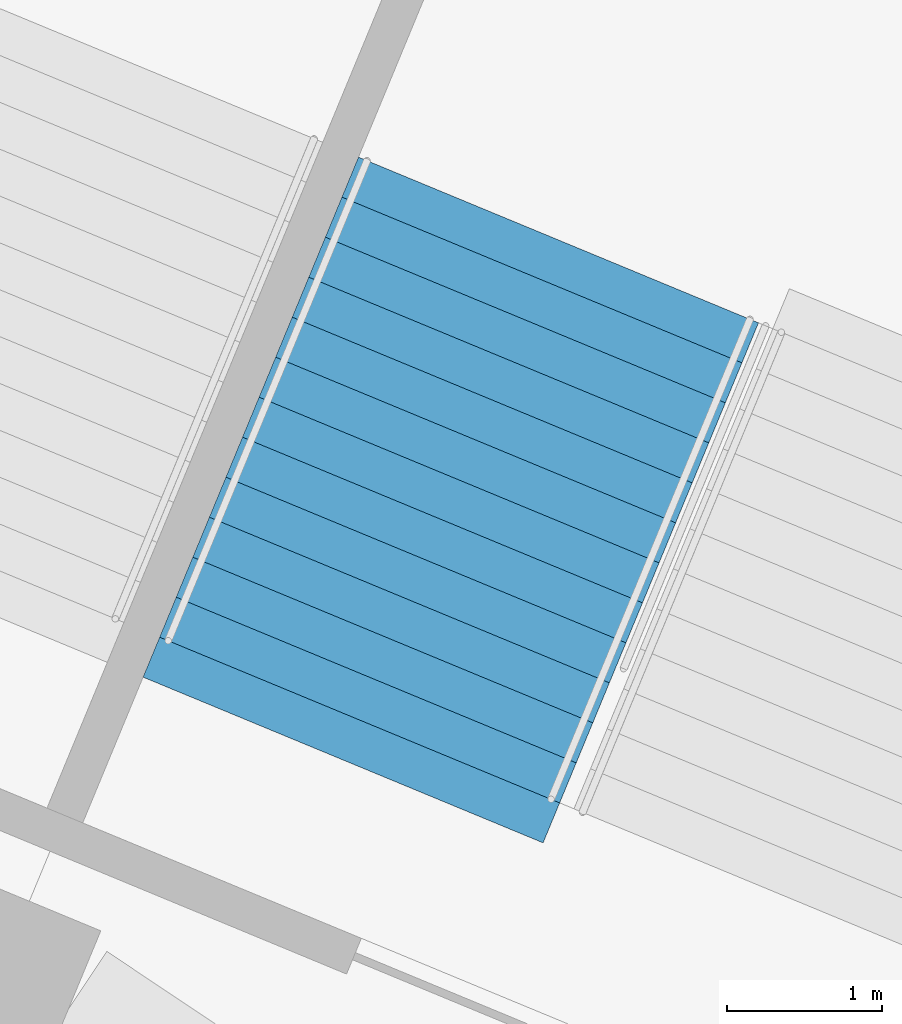
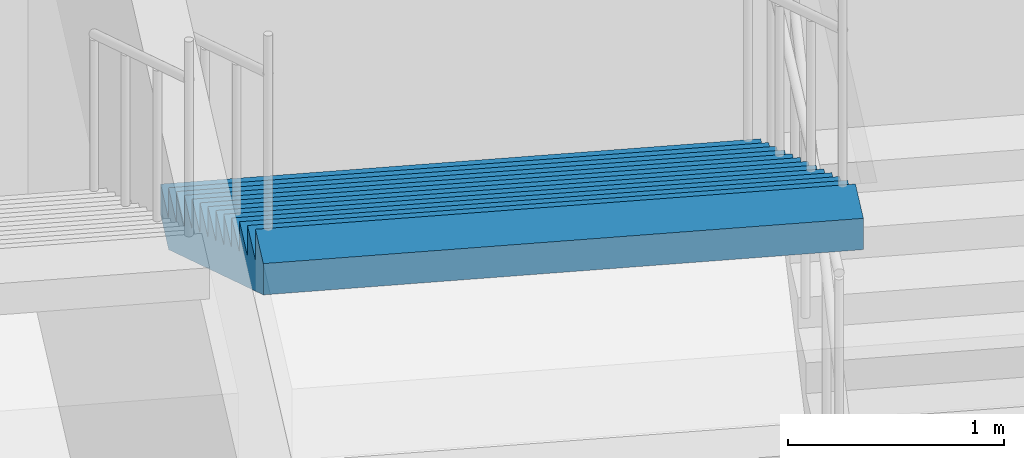
# One storey, part 152 of 175: 1 stair flight, 1 element without a shape of its own.
"""IFC4 building model written with IfcOpenShell, lengths in metres."""

import ifcopenshell
import ifcopenshell.guid

model = None  # the IFC model being written
_history = None  # IfcOwnerHistory: only IFC2X3 demands one
_inside = {}  # id of a spatial element -> (the spatial element, [elements in it])
_under = {}  # id of a project, library or spatial element -> (it, [spatial elements below it])
_declared = {}  # id of a project -> (the project, [libraries it declares])
_typed = {}  # id of a type object -> (the type object, [elements of that type])
_made_of = {}  # id of a material, layer set ... -> (it, [elements and type objects made of it])


def new_model(schema):
    """Start an empty IFC model of exactly this schema.

    Asked for "IFC4X3", IfcOpenShell would pick the latest addendum, in which some entities
    have other attributes; the version numbers below select the first issue.
    IFC2X3 requires an IfcOwnerHistory on every rooted entity: one is made here for all.
    """
    global model, _history
    if schema == "IFC4X3":
        model = ifcopenshell.file(schema_version=(4, 3, 0, 0))
    else:
        model = ifcopenshell.file(schema=schema)
    _inside.clear()
    _under.clear()
    _declared.clear()
    _typed.clear()
    _made_of.clear()
    _history = None
    if model.schema == "IFC2X3":
        org = make("IfcOrganization", Name="unknown")
        user = make(
            "IfcPersonAndOrganization",
            ThePerson=make("IfcPerson", FamilyName="unknown"),
            TheOrganization=org,
        )
        app = make(
            "IfcApplication",
            ApplicationDeveloper=org,
            Version="unknown",
            ApplicationFullName="unknown",
            ApplicationIdentifier="unknown",
        )
        _history = make(
            "IfcOwnerHistory",
            OwningUser=user,
            OwningApplication=app,
            ChangeAction="ADDED",
            CreationDate=0,
        )
    return model


def make(cls, **values):
    """One entity of the class cls with the attributes given. An attribute that is None is left unset."""
    return model.create_entity(
        cls, **{name: value for name, value in values.items() if value is not None}
    )


def rooted(cls, **values):
    """An entity with a GlobalId (a new one), such as an element, a storey or a relation."""
    return make(cls, GlobalId=ifcopenshell.guid.new(), OwnerHistory=_history, **values)


def si_unit(unit_type, name, prefix=None):
    """IfcSIUnit, for example si_unit("LENGTHUNIT", "METRE", prefix="MILLI")."""
    return make("IfcSIUnit", UnitType=unit_type, Prefix=prefix, Name=name)


def assignment(units):
    """IfcUnitAssignment: the units of a project."""
    return None if units is None else make("IfcUnitAssignment", Units=units)


def point(xyz):
    """IfcCartesianPoint."""
    return None if xyz is None else make("IfcCartesianPoint", Coordinates=xyz)


def direction(xyz):
    """IfcDirection."""
    return None if xyz is None else make("IfcDirection", DirectionRatios=xyz)


def frame(location, z_axis=None, x_axis=None):
    """IfcAxis2Placement3D, a coordinate frame: its origin and axes. An axis left out is left unset."""
    return make(
        "IfcAxis2Placement3D",
        Location=point(location),
        Axis=direction(z_axis),
        RefDirection=direction(x_axis),
    )


def origin():
    """The frame at (0, 0, 0) with its axes left unset."""
    return frame((0.0, 0.0, 0.0))


def place(relative_to, where):
    """IfcLocalPlacement: puts the frame where relative to a parent placement (None: the world)."""
    return make(
        "IfcLocalPlacement", PlacementRelTo=relative_to, RelativePlacement=where
    )


def context(
    kind, dimensions, precision=None, world=None, true_north=None, identifier=None
):
    """IfcGeometricRepresentationContext, for example the 3D "Model" context."""
    return make(
        "IfcGeometricRepresentationContext",
        ContextIdentifier=identifier,
        ContextType=kind,
        CoordinateSpaceDimension=dimensions,
        Precision=precision,
        WorldCoordinateSystem=world,
        TrueNorth=true_north,
    )


def subcontext(parent, identifier, kind, view, scale=None):
    """IfcGeometricRepresentationSubContext, for example "Body" below "Model"."""
    return make(
        "IfcGeometricRepresentationSubContext",
        ContextIdentifier=identifier,
        ContextType=kind,
        ParentContext=parent,
        TargetScale=scale,
        TargetView=view,
    )


def project(units=None, contexts=None):
    """IfcProject with its units and contexts."""
    return rooted(
        "IfcProject",
        Name="project",
        RepresentationContexts=contexts,
        UnitsInContext=assignment(units),
    )


def spatial(cls, under=None, at=None, **own):
    """A site, building, storey or space (cls), placed at a placement, below another one or the project."""
    s = rooted(cls, ObjectPlacement=at, **own)
    if under is not None:
        _under.setdefault(under.id(), (under, []))[1].append(s)
    return s


def faces_of(points, faces, orient=None, outer=None):
    """IfcFace entities. A face is a list of loops; a loop is a list of indices into points, from 0.

    orient and outer hold one flag for each loop. By default every Orientation is true, the
    first loop of a face is its IfcFaceOuterBound and the others are IfcFaceBound.
    """
    made = []
    for i, loops in enumerate(faces):
        bounds = []
        for j, loop in enumerate(loops):
            is_outer = j == 0 if outer is None else outer[i][j]
            bounds.append(
                make(
                    "IfcFaceOuterBound" if is_outer else "IfcFaceBound",
                    Bound=make("IfcPolyLoop", Polygon=[points[k] for k in loop]),
                    Orientation=True if orient is None else orient[i][j],
                )
            )
        made.append(make("IfcFace", Bounds=bounds))
    return made


def faceted_brep(points, faces, orient=None, outer=None, voids=None):
    """IfcFacetedBrep: a solid bounded by flat faces; with voids (closed shells), ...WithVoids."""
    shared = [point(p) for p in points]
    hull = make("IfcClosedShell", CfsFaces=faces_of(shared, faces, orient, outer))
    if voids is None:
        return make("IfcFacetedBrep", Outer=hull)
    return make(
        "IfcFacetedBrepWithVoids",
        Outer=hull,
        Voids=[
            make(cls, CfsFaces=faces_of(shared, fs, o, b)) for cls, fs, o, b in voids
        ],
    )


def shape(context_of_items, identifier, shape_type, items):
    """IfcShapeRepresentation: the items that make up one representation, for example the "Body"."""
    return make(
        "IfcShapeRepresentation",
        ContextOfItems=context_of_items,
        RepresentationIdentifier=identifier,
        RepresentationType=shape_type,
        Items=items,
    )


def material(Name=None, Category=None):
    """IfcMaterial."""
    return make("IfcMaterial", Name=Name, Category=Category)


def made_of(thing, what):
    """Note that an element or type object is made of a material, layer set ...; save() writes the relation."""
    if what is not None:
        _made_of.setdefault(what.id(), (what, []))[1].append(thing)
    return thing


def type_object(cls, material=None, **own):
    """A type object (cls), such as IfcWallType, which elements share."""
    return made_of(rooted(cls, **own), material)


def element(
    cls,
    number,
    at=None,
    inside=None,
    cuts=None,
    type_object=None,
    material=None,
    context=None,
    identifier="Body",
    shape_type=None,
    held_by="IfcProductDefinitionShape",
    body=None,
    shapes=None,
    **own,
):
    """One element of the class cls, such as IfcWall. Its Tag is "e" and its number.

    at: its placement. inside: the storey or other place that contains it. cuts: it is an
    opening in that element (IfcRelVoidsElement). A single representation is given by context,
    identifier, shape_type and body (its items); several are given by shapes. held_by: the class
    of the entity that holds the representations. save() writes the other relations.
    """
    e = rooted(cls, Tag="e%d" % number, ObjectPlacement=at, **own)
    if body is not None:
        shapes = [shape(context, identifier, shape_type, body)]
    if shapes is not None:
        e.Representation = make(held_by, Representations=shapes)
    if inside is not None:
        _inside.setdefault(inside.id(), (inside, []))[1].append(e)
    if cuts is not None:
        rooted(
            "IfcRelVoidsElement", RelatingBuildingElement=cuts, RelatedOpeningElement=e
        )
    if type_object is not None:
        _typed.setdefault(type_object.id(), (type_object, []))[1].append(e)
    return made_of(e, material)


def aggregate(whole, parts):
    """IfcRelAggregates: a whole, such as a stair, and the parts it consists of."""
    return rooted("IfcRelAggregates", RelatingObject=whole, RelatedObjects=parts)


def save(model, path):
    """Write the relations noted so far, then the file.

    IfcRelAggregates (storeys below a building ...), IfcRelContainedInSpatialStructure (elements
    in a storey), IfcRelDefinesByType, IfcRelAssociatesMaterial and IfcRelDeclares: one each for
    every whole, place, type object, material and project.
    """
    for whole, parts in _under.values():
        aggregate(whole, parts)
    for where, things in _inside.values():
        rooted(
            "IfcRelContainedInSpatialStructure",
            RelatedElements=things,
            RelatingStructure=where,
        )
    for kind, things in _typed.values():
        rooted("IfcRelDefinesByType", RelatedObjects=things, RelatingType=kind)
    for what, things in _made_of.values():
        rooted("IfcRelAssociatesMaterial", RelatedObjects=things, RelatingMaterial=what)
    for by, libraries in _declared.values():
        rooted("IfcRelDeclares", RelatingContext=by, RelatedDefinitions=libraries)
    model.write(path)


model = new_model("IFC4")

# Units and contexts
model_context = context("Model", 3, precision=1e-05, world=origin(), true_north=direction((0.0, 1.0)))
body_context = subcontext(model_context, "Body", "Model", "MODEL_VIEW")
ifc_project = project(units=[si_unit("LENGTHUNIT", "METRE"), si_unit("AREAUNIT", "SQUARE_METRE"), si_unit("VOLUMEUNIT", "CUBIC_METRE"), si_unit("PLANEANGLEUNIT", "RADIAN"), si_unit("MASSUNIT", "GRAM", prefix="KILO")], contexts=[model_context])

# Site, building, storey
site_placement = place(None, origin())
site = spatial("IfcSite", under=ifc_project, at=site_placement, CompositionType="ELEMENT")
building_placement = place(site_placement, origin())
building = spatial("IfcBuilding", under=site, at=building_placement, Name="Ogive Plaza Stadium", CompositionType="ELEMENT")
storey_placement = place(building_placement, origin())
storey = spatial("IfcBuildingStorey", under=building, at=storey_placement, Name="L00", CompositionType="ELEMENT", Elevation=0.0)

# Stair, stair flight
ifc_material_1 = material(Name="Concrete C40/50", Category="concrete")
stair_type = type_object("IfcStairType", Name="Exit stair", PredefinedType="STRAIGHT_RUN_STAIR", material=ifc_material_1)
stair_placement = place(storey_placement, origin())
stair = element("IfcStair", 1, at=stair_placement, inside=storey, type_object=stair_type, Name="Exit stair ST38A L00 to L01", PredefinedType="STRAIGHT_RUN_STAIR")
ifc_material_2 = material(Name="Concrete C40/50", Category="concrete")
stair_flight_type = type_object("IfcStairFlightType", Name="Exit stair flight", PredefinedType="STRAIGHT", material=ifc_material_2)
stair_flight_placement = place(storey_placement, frame((52.9013671875, 94.14697265625, 2.25), z_axis=(0.0, 0.0, 1.0), x_axis=(-0.382683432365, -0.923879532511, 0.0)))
stair_flight = element("IfcStairFlight", 2, at=stair_flight_placement, type_object=stair_flight_type, Name="ST38A flight 2", NumberOfRisers=13, NumberOfTreads=12, PredefinedType="STRAIGHT", RiserHeight=0.173076923, TreadLength=0.28, context=body_context, shape_type="Brep", body=[
    faceted_brep([(0.28515625, -1.39990234375, 0.0), (3.639892578125, -1.39990234375, 2.07373046875), (3.639892578125, -1.39990234375, 2.25), (3.360107421875, -1.39990234375, 2.25), (3.360107421875, -1.39990234375, 2.076904296875), (3.080078125, -1.39990234375, 2.076904296875), (3.080078125, -1.39990234375, 1.90380859375), (2.800048828125, -1.39990234375, 1.90380859375), (2.800048828125, -1.39990234375, 1.730712890625), (2.52001953125, -1.39990234375, 1.730712890625), (2.52001953125, -1.39990234375, 1.5576171875), (2.239990234375, -1.39990234375, 1.5576171875), (2.239990234375, -1.39990234375, 1.384521484375), (1.9599609375, -1.39990234375, 1.384521484375), (1.9599609375, -1.39990234375, 1.21142578125), (1.679931640625, -1.39990234375, 1.21142578125), (1.679931640625, -1.39990234375, 1.03857421875), (1.39990234375, -1.39990234375, 1.03857421875), (1.39990234375, -1.39990234375, 0.865478515625), (1.1201171875, -1.39990234375, 0.865478515625), (1.1201171875, -1.39990234375, 0.6923828125), (0.840087890625, -1.39990234375, 0.6923828125), (0.840087890625, -1.39990234375, 0.519287109375), (0.56005859375, -1.39990234375, 0.519287109375), (0.56005859375, -1.39990234375, 0.34619140625), (0.280029296875, -1.39990234375, 0.34619140625), (0.280029296875, -1.39990234375, 0.173095703125), (0.0, -1.39990234375, 0.173095703125), (0.0, -1.39990234375, 0.0), (0.0, 1.39990234375, 0.0), (0.0, 1.39990234375, 0.173095703125), (0.280029296875, 1.39990234375, 0.173095703125), (0.280029296875, 1.39990234375, 0.34619140625), (0.56005859375, 1.39990234375, 0.34619140625), (0.56005859375, 1.39990234375, 0.519287109375), (0.840087890625, 1.39990234375, 0.519287109375), (0.840087890625, 1.39990234375, 0.6923828125), (1.1201171875, 1.39990234375, 0.6923828125), (1.1201171875, 1.39990234375, 0.865478515625), (1.39990234375, 1.39990234375, 0.865478515625), (1.39990234375, 1.39990234375, 1.03857421875), (1.679931640625, 1.39990234375, 1.03857421875), (1.679931640625, 1.39990234375, 1.21142578125), (1.9599609375, 1.39990234375, 1.21142578125), (1.9599609375, 1.39990234375, 1.384521484375), (2.239990234375, 1.39990234375, 1.384521484375), (2.239990234375, 1.39990234375, 1.5576171875), (2.52001953125, 1.39990234375, 1.5576171875), (2.52001953125, 1.39990234375, 1.730712890625), (2.800048828125, 1.39990234375, 1.730712890625), (2.800048828125, 1.39990234375, 1.90380859375), (3.080078125, 1.39990234375, 1.90380859375), (3.080078125, 1.39990234375, 2.076904296875), (3.360107421875, 1.39990234375, 2.076904296875), (3.360107421875, 1.39990234375, 2.25), (3.639892578125, 1.39990234375, 2.25), (3.639892578125, 1.39990234375, 2.07373046875), (0.28515625, 1.39990234375, 0.0), (0.28515625, -1.0888671875, 0.0), (3.639892578125, -1.0888671875, 2.07373046875), (0.28515625, -0.77783203125, 0.0), (3.639892578125, -0.77783203125, 2.07373046875), (0.28515625, -0.466796875, 0.0), (3.639892578125, -0.466796875, 2.07373046875), (0.28515625, -0.155517578125, 0.0), (3.639892578125, -0.155517578125, 2.07373046875), (0.28515625, 0.155517578125, 0.0), (3.639892578125, 0.155517578125, 2.07373046875), (0.28515625, 0.466796875, 0.0), (3.639892578125, 0.466796875, 2.07373046875), (0.28515625, 0.77783203125, 0.0), (3.639892578125, 0.77783203125, 2.07373046875), (0.28515625, 1.0888671875, 0.0), (3.639892578125, 1.0888671875, 2.07373046875), (3.639892578125, -1.0888671875, 2.25), (3.639892578125, -0.77783203125, 2.25), (3.639892578125, -0.466796875, 2.25), (3.639892578125, -0.155517578125, 2.25), (3.639892578125, 0.155517578125, 2.25), (3.639892578125, 0.466796875, 2.25), (3.639892578125, 0.77783203125, 2.25), (3.639892578125, 1.0888671875, 2.25), (3.360107421875, -1.0888671875, 2.25), (3.360107421875, -0.77783203125, 2.25), (3.360107421875, -0.466796875, 2.25), (3.360107421875, -0.155517578125, 2.25), (3.360107421875, 0.155517578125, 2.25), (3.360107421875, 0.466796875, 2.25), (3.360107421875, 0.77783203125, 2.25), (3.360107421875, 1.0888671875, 2.25), (3.360107421875, -1.0888671875, 2.076904296875), (3.360107421875, -0.77783203125, 2.076904296875), (3.360107421875, -0.466796875, 2.076904296875), (3.360107421875, -0.155517578125, 2.076904296875), (3.360107421875, 0.155517578125, 2.076904296875), (3.360107421875, 0.466796875, 2.076904296875), (3.360107421875, 0.77783203125, 2.076904296875), (3.360107421875, 1.0888671875, 2.076904296875), (3.080078125, -1.0888671875, 2.076904296875), (3.080078125, -0.77783203125, 2.076904296875), (3.080078125, -0.466796875, 2.076904296875), (3.080078125, -0.155517578125, 2.076904296875), (3.080078125, 0.155517578125, 2.076904296875), (3.080078125, 0.466796875, 2.076904296875), (3.080078125, 0.77783203125, 2.076904296875), (3.080078125, 1.0888671875, 2.076904296875), (3.080078125, -1.0888671875, 1.90380859375), (3.080078125, -0.77783203125, 1.90380859375), (3.080078125, -0.466796875, 1.90380859375), (3.080078125, -0.155517578125, 1.90380859375), (3.080078125, 0.155517578125, 1.90380859375), (3.080078125, 0.466796875, 1.90380859375), (3.080078125, 0.77783203125, 1.90380859375), (3.080078125, 1.0888671875, 1.90380859375), (2.800048828125, -1.0888671875, 1.90380859375), (2.800048828125, -0.77783203125, 1.90380859375), (2.800048828125, -0.466796875, 1.90380859375), (2.800048828125, -0.155517578125, 1.90380859375), (2.800048828125, 0.155517578125, 1.90380859375), (2.800048828125, 0.466796875, 1.90380859375), (2.800048828125, 0.77783203125, 1.90380859375), (2.800048828125, 1.0888671875, 1.90380859375), (2.800048828125, -1.0888671875, 1.730712890625), (2.800048828125, -0.77783203125, 1.730712890625), (2.800048828125, -0.466796875, 1.730712890625), (2.800048828125, -0.155517578125, 1.730712890625), (2.800048828125, 0.155517578125, 1.730712890625), (2.800048828125, 0.466796875, 1.730712890625), (2.800048828125, 0.77783203125, 1.730712890625), (2.800048828125, 1.0888671875, 1.730712890625), (2.52001953125, -1.0888671875, 1.730712890625), (2.52001953125, -0.77783203125, 1.730712890625), (2.52001953125, -0.466796875, 1.730712890625), (2.52001953125, -0.155517578125, 1.730712890625), (2.52001953125, 0.155517578125, 1.730712890625), (2.52001953125, 0.466796875, 1.730712890625), (2.52001953125, 0.77783203125, 1.730712890625), (2.52001953125, 1.0888671875, 1.730712890625), (2.52001953125, -1.0888671875, 1.5576171875), (2.52001953125, -0.77783203125, 1.5576171875), (2.52001953125, -0.466796875, 1.5576171875), (2.52001953125, -0.155517578125, 1.5576171875), (2.52001953125, 0.155517578125, 1.5576171875), (2.52001953125, 0.466796875, 1.5576171875), (2.52001953125, 0.77783203125, 1.5576171875), (2.52001953125, 1.0888671875, 1.5576171875), (2.239990234375, -1.0888671875, 1.5576171875), (2.239990234375, -0.77783203125, 1.5576171875), (2.239990234375, -0.466796875, 1.5576171875), (2.239990234375, -0.155517578125, 1.5576171875), (2.239990234375, 0.155517578125, 1.5576171875), (2.239990234375, 0.466796875, 1.5576171875), (2.239990234375, 0.77783203125, 1.5576171875), (2.239990234375, 1.0888671875, 1.5576171875), (2.239990234375, -1.0888671875, 1.384521484375), (2.239990234375, -0.77783203125, 1.384521484375), (2.239990234375, -0.466796875, 1.384521484375), (2.239990234375, -0.155517578125, 1.384521484375), (2.239990234375, 0.155517578125, 1.384521484375), (2.239990234375, 0.466796875, 1.384521484375), (2.239990234375, 0.77783203125, 1.384521484375), (2.239990234375, 1.0888671875, 1.384521484375), (1.9599609375, -1.0888671875, 1.384521484375), (1.9599609375, -0.77783203125, 1.384521484375), (1.9599609375, -0.466796875, 1.384521484375), (1.9599609375, -0.155517578125, 1.384521484375), (1.9599609375, 0.155517578125, 1.384521484375), (1.9599609375, 0.466796875, 1.384521484375), (1.9599609375, 0.77783203125, 1.384521484375), (1.9599609375, 1.0888671875, 1.384521484375), (1.9599609375, -1.0888671875, 1.21142578125), (1.9599609375, -0.77783203125, 1.21142578125), (1.9599609375, -0.466796875, 1.21142578125), (1.9599609375, -0.155517578125, 1.21142578125), (1.9599609375, 0.155517578125, 1.21142578125), (1.9599609375, 0.466796875, 1.21142578125), (1.9599609375, 0.77783203125, 1.21142578125), (1.9599609375, 1.0888671875, 1.21142578125), (1.679931640625, -1.0888671875, 1.21142578125), (1.679931640625, -0.77783203125, 1.21142578125), (1.679931640625, -0.466796875, 1.21142578125), (1.679931640625, -0.155517578125, 1.21142578125), (1.679931640625, 0.155517578125, 1.21142578125), (1.679931640625, 0.466796875, 1.21142578125), (1.679931640625, 0.77783203125, 1.21142578125), (1.679931640625, 1.0888671875, 1.21142578125), (1.679931640625, -1.0888671875, 1.03857421875), (1.679931640625, -0.77783203125, 1.03857421875), (1.679931640625, -0.466796875, 1.03857421875), (1.679931640625, -0.155517578125, 1.03857421875), (1.679931640625, 0.155517578125, 1.03857421875), (1.679931640625, 0.466796875, 1.03857421875), (1.679931640625, 0.77783203125, 1.03857421875), (1.679931640625, 1.0888671875, 1.03857421875), (1.39990234375, -1.0888671875, 1.03857421875), (1.39990234375, -0.77783203125, 1.03857421875), (1.39990234375, -0.466796875, 1.03857421875), (1.39990234375, -0.155517578125, 1.03857421875), (1.39990234375, 0.155517578125, 1.03857421875), (1.39990234375, 0.466796875, 1.03857421875), (1.39990234375, 0.77783203125, 1.03857421875), (1.39990234375, 1.0888671875, 1.03857421875), (1.39990234375, -1.0888671875, 0.865478515625), (1.39990234375, -0.77783203125, 0.865478515625), (1.39990234375, -0.466796875, 0.865478515625), (1.39990234375, -0.155517578125, 0.865478515625), (1.39990234375, 0.155517578125, 0.865478515625), (1.39990234375, 0.466796875, 0.865478515625), (1.39990234375, 0.77783203125, 0.865478515625), (1.39990234375, 1.0888671875, 0.865478515625), (1.1201171875, -1.0888671875, 0.865478515625), (1.1201171875, -0.77783203125, 0.865478515625), (1.1201171875, -0.466796875, 0.865478515625), (1.1201171875, -0.155517578125, 0.865478515625), (1.1201171875, 0.155517578125, 0.865478515625), (1.1201171875, 0.466796875, 0.865478515625), (1.1201171875, 0.77783203125, 0.865478515625), (1.1201171875, 1.0888671875, 0.865478515625), (1.1201171875, -1.0888671875, 0.6923828125), (1.1201171875, -0.77783203125, 0.6923828125), (1.1201171875, -0.466796875, 0.6923828125), (1.1201171875, -0.155517578125, 0.6923828125), (1.1201171875, 0.155517578125, 0.6923828125), (1.1201171875, 0.466796875, 0.6923828125), (1.1201171875, 0.77783203125, 0.6923828125), (1.1201171875, 1.0888671875, 0.6923828125), (0.840087890625, -1.0888671875, 0.6923828125), (0.840087890625, -0.77783203125, 0.6923828125), (0.840087890625, -0.466796875, 0.6923828125), (0.840087890625, -0.155517578125, 0.6923828125), (0.840087890625, 0.155517578125, 0.6923828125), (0.840087890625, 0.466796875, 0.6923828125), (0.840087890625, 0.77783203125, 0.6923828125), (0.840087890625, 1.0888671875, 0.6923828125), (0.840087890625, -1.0888671875, 0.519287109375), (0.840087890625, -0.77783203125, 0.519287109375), (0.840087890625, -0.466796875, 0.519287109375), (0.840087890625, -0.155517578125, 0.519287109375), (0.840087890625, 0.155517578125, 0.519287109375), (0.840087890625, 0.466796875, 0.519287109375), (0.840087890625, 0.77783203125, 0.519287109375), (0.840087890625, 1.0888671875, 0.519287109375), (0.56005859375, -1.0888671875, 0.519287109375), (0.56005859375, -0.77783203125, 0.519287109375), (0.56005859375, -0.466796875, 0.519287109375), (0.56005859375, -0.155517578125, 0.519287109375), (0.56005859375, 0.155517578125, 0.519287109375), (0.56005859375, 0.466796875, 0.519287109375), (0.56005859375, 0.77783203125, 0.519287109375), (0.56005859375, 1.0888671875, 0.519287109375), (0.56005859375, -1.0888671875, 0.34619140625), (0.56005859375, -0.77783203125, 0.34619140625), (0.56005859375, -0.466796875, 0.34619140625), (0.56005859375, -0.155517578125, 0.34619140625), (0.56005859375, 0.155517578125, 0.34619140625), (0.56005859375, 0.466796875, 0.34619140625), (0.56005859375, 0.77783203125, 0.34619140625), (0.56005859375, 1.0888671875, 0.34619140625), (0.280029296875, -1.0888671875, 0.34619140625), (0.280029296875, -0.77783203125, 0.34619140625), (0.280029296875, -0.466796875, 0.34619140625), (0.280029296875, -0.155517578125, 0.34619140625), (0.280029296875, 0.155517578125, 0.34619140625), (0.280029296875, 0.466796875, 0.34619140625), (0.280029296875, 0.77783203125, 0.34619140625), (0.280029296875, 1.0888671875, 0.34619140625), (0.280029296875, -1.0888671875, 0.173095703125), (0.280029296875, -0.77783203125, 0.173095703125), (0.280029296875, -0.466796875, 0.173095703125), (0.280029296875, -0.155517578125, 0.173095703125), (0.280029296875, 0.155517578125, 0.173095703125), (0.280029296875, 0.466796875, 0.173095703125), (0.280029296875, 0.77783203125, 0.173095703125), (0.280029296875, 1.0888671875, 0.173095703125), (0.0, -1.0888671875, 0.173095703125), (0.0, -0.77783203125, 0.173095703125), (0.0, -0.466796875, 0.173095703125), (0.0, -0.155517578125, 0.173095703125), (0.0, 0.155517578125, 0.173095703125), (0.0, 0.466796875, 0.173095703125), (0.0, 0.77783203125, 0.173095703125), (0.0, 1.0888671875, 0.173095703125), (0.0, -1.0888671875, 0.0), (0.0, -0.77783203125, 0.0), (0.0, -0.466796875, 0.0), (0.0, -0.155517578125, 0.0), (0.0, 0.155517578125, 0.0), (0.0, 0.466796875, 0.0), (0.0, 0.77783203125, 0.0), (0.0, 1.0888671875, 0.0)], [[[0, 1, 2, 3, 4, 5, 6, 7, 8, 9, 10, 11, 12, 13, 14, 15, 16, 17, 18, 19, 20, 21, 22, 23, 24, 25, 26, 27, 28]], [[29, 30, 31, 32, 33, 34, 35, 36, 37, 38, 39, 40, 41, 42, 43, 44, 45, 46, 47, 48, 49, 50, 51, 52, 53, 54, 55, 56, 57]], [[0, 58, 59, 1]], [[58, 60, 61, 59]], [[60, 62, 63, 61]], [[62, 64, 65, 63]], [[64, 66, 67, 65]], [[66, 68, 69, 67]], [[68, 70, 71, 69]], [[70, 72, 73, 71]], [[72, 57, 56, 73]], [[1, 59, 74, 2]], [[59, 61, 75, 74]], [[61, 63, 76, 75]], [[63, 65, 77, 76]], [[65, 67, 78, 77]], [[67, 69, 79, 78]], [[69, 71, 80, 79]], [[71, 73, 81, 80]], [[73, 56, 55, 81]], [[2, 74, 82, 3]], [[74, 75, 83, 82]], [[75, 76, 84, 83]], [[76, 77, 85, 84]], [[77, 78, 86, 85]], [[78, 79, 87, 86]], [[79, 80, 88, 87]], [[80, 81, 89, 88]], [[81, 55, 54, 89]], [[3, 82, 90, 4]], [[82, 83, 91, 90]], [[83, 84, 92, 91]], [[84, 85, 93, 92]], [[85, 86, 94, 93]], [[86, 87, 95, 94]], [[87, 88, 96, 95]], [[88, 89, 97, 96]], [[89, 54, 53, 97]], [[4, 90, 98, 5]], [[90, 91, 99, 98]], [[91, 92, 100, 99]], [[92, 93, 101, 100]], [[93, 94, 102, 101]], [[94, 95, 103, 102]], [[95, 96, 104, 103]], [[96, 97, 105, 104]], [[97, 53, 52, 105]], [[5, 98, 106, 6]], [[98, 99, 107, 106]], [[99, 100, 108, 107]], [[100, 101, 109, 108]], [[101, 102, 110, 109]], [[102, 103, 111, 110]], [[103, 104, 112, 111]], [[104, 105, 113, 112]], [[105, 52, 51, 113]], [[6, 106, 114, 7]], [[106, 107, 115, 114]], [[107, 108, 116, 115]], [[108, 109, 117, 116]], [[109, 110, 118, 117]], [[110, 111, 119, 118]], [[111, 112, 120, 119]], [[112, 113, 121, 120]], [[113, 51, 50, 121]], [[7, 114, 122, 8]], [[114, 115, 123, 122]], [[115, 116, 124, 123]], [[116, 117, 125, 124]], [[117, 118, 126, 125]], [[118, 119, 127, 126]], [[119, 120, 128, 127]], [[120, 121, 129, 128]], [[121, 50, 49, 129]], [[8, 122, 130, 9]], [[122, 123, 131, 130]], [[123, 124, 132, 131]], [[124, 125, 133, 132]], [[125, 126, 134, 133]], [[126, 127, 135, 134]], [[127, 128, 136, 135]], [[128, 129, 137, 136]], [[129, 49, 48, 137]], [[9, 130, 138, 10]], [[130, 131, 139, 138]], [[131, 132, 140, 139]], [[132, 133, 141, 140]], [[133, 134, 142, 141]], [[134, 135, 143, 142]], [[135, 136, 144, 143]], [[136, 137, 145, 144]], [[137, 48, 47, 145]], [[10, 138, 146, 11]], [[138, 139, 147, 146]], [[139, 140, 148, 147]], [[140, 141, 149, 148]], [[141, 142, 150, 149]], [[142, 143, 151, 150]], [[143, 144, 152, 151]], [[144, 145, 153, 152]], [[145, 47, 46, 153]], [[11, 146, 154, 12]], [[146, 147, 155, 154]], [[147, 148, 156, 155]], [[148, 149, 157, 156]], [[149, 150, 158, 157]], [[150, 151, 159, 158]], [[151, 152, 160, 159]], [[152, 153, 161, 160]], [[153, 46, 45, 161]], [[12, 154, 162, 13]], [[154, 155, 163, 162]], [[155, 156, 164, 163]], [[156, 157, 165, 164]], [[157, 158, 166, 165]], [[158, 159, 167, 166]], [[159, 160, 168, 167]], [[160, 161, 169, 168]], [[161, 45, 44, 169]], [[13, 162, 170, 14]], [[162, 163, 171, 170]], [[163, 164, 172, 171]], [[164, 165, 173, 172]], [[165, 166, 174, 173]], [[166, 167, 175, 174]], [[167, 168, 176, 175]], [[168, 169, 177, 176]], [[169, 44, 43, 177]], [[14, 170, 178, 15]], [[170, 171, 179, 178]], [[171, 172, 180, 179]], [[172, 173, 181, 180]], [[173, 174, 182, 181]], [[174, 175, 183, 182]], [[175, 176, 184, 183]], [[176, 177, 185, 184]], [[177, 43, 42, 185]], [[15, 178, 186, 16]], [[178, 179, 187, 186]], [[179, 180, 188, 187]], [[180, 181, 189, 188]], [[181, 182, 190, 189]], [[182, 183, 191, 190]], [[183, 184, 192, 191]], [[184, 185, 193, 192]], [[185, 42, 41, 193]], [[16, 186, 194, 17]], [[186, 187, 195, 194]], [[187, 188, 196, 195]], [[188, 189, 197, 196]], [[189, 190, 198, 197]], [[190, 191, 199, 198]], [[191, 192, 200, 199]], [[192, 193, 201, 200]], [[193, 41, 40, 201]], [[17, 194, 202, 18]], [[194, 195, 203, 202]], [[195, 196, 204, 203]], [[196, 197, 205, 204]], [[197, 198, 206, 205]], [[198, 199, 207, 206]], [[199, 200, 208, 207]], [[200, 201, 209, 208]], [[201, 40, 39, 209]], [[18, 202, 210, 19]], [[202, 203, 211, 210]], [[203, 204, 212, 211]], [[204, 205, 213, 212]], [[205, 206, 214, 213]], [[206, 207, 215, 214]], [[207, 208, 216, 215]], [[208, 209, 217, 216]], [[209, 39, 38, 217]], [[19, 210, 218, 20]], [[210, 211, 219, 218]], [[211, 212, 220, 219]], [[212, 213, 221, 220]], [[213, 214, 222, 221]], [[214, 215, 223, 222]], [[215, 216, 224, 223]], [[216, 217, 225, 224]], [[217, 38, 37, 225]], [[20, 218, 226, 21]], [[218, 219, 227, 226]], [[219, 220, 228, 227]], [[220, 221, 229, 228]], [[221, 222, 230, 229]], [[222, 223, 231, 230]], [[223, 224, 232, 231]], [[224, 225, 233, 232]], [[225, 37, 36, 233]], [[21, 226, 234, 22]], [[226, 227, 235, 234]], [[227, 228, 236, 235]], [[228, 229, 237, 236]], [[229, 230, 238, 237]], [[230, 231, 239, 238]], [[231, 232, 240, 239]], [[232, 233, 241, 240]], [[233, 36, 35, 241]], [[22, 234, 242, 23]], [[234, 235, 243, 242]], [[235, 236, 244, 243]], [[236, 237, 245, 244]], [[237, 238, 246, 245]], [[238, 239, 247, 246]], [[239, 240, 248, 247]], [[240, 241, 249, 248]], [[241, 35, 34, 249]], [[23, 242, 250, 24]], [[242, 243, 251, 250]], [[243, 244, 252, 251]], [[244, 245, 253, 252]], [[245, 246, 254, 253]], [[246, 247, 255, 254]], [[247, 248, 256, 255]], [[248, 249, 257, 256]], [[249, 34, 33, 257]], [[24, 250, 258, 25]], [[250, 251, 259, 258]], [[251, 252, 260, 259]], [[252, 253, 261, 260]], [[253, 254, 262, 261]], [[254, 255, 263, 262]], [[255, 256, 264, 263]], [[256, 257, 265, 264]], [[257, 33, 32, 265]], [[25, 258, 266, 26]], [[258, 259, 267, 266]], [[259, 260, 268, 267]], [[260, 261, 269, 268]], [[261, 262, 270, 269]], [[262, 263, 271, 270]], [[263, 264, 272, 271]], [[264, 265, 273, 272]], [[265, 32, 31, 273]], [[26, 266, 274, 27]], [[266, 267, 275, 274]], [[267, 268, 276, 275]], [[268, 269, 277, 276]], [[269, 270, 278, 277]], [[270, 271, 279, 278]], [[271, 272, 280, 279]], [[272, 273, 281, 280]], [[273, 31, 30, 281]], [[27, 274, 282, 28]], [[274, 275, 283, 282]], [[275, 276, 284, 283]], [[276, 277, 285, 284]], [[277, 278, 286, 285]], [[278, 279, 287, 286]], [[279, 280, 288, 287]], [[280, 281, 289, 288]], [[281, 30, 29, 289]], [[28, 282, 58, 0]], [[282, 283, 60, 58]], [[283, 284, 62, 60]], [[284, 285, 64, 62]], [[285, 286, 66, 64]], [[286, 287, 68, 66]], [[287, 288, 70, 68]], [[288, 289, 72, 70]], [[289, 29, 57, 72]]]),
])
aggregate(stair, [stair_flight])

save(model, "model.ifc")
